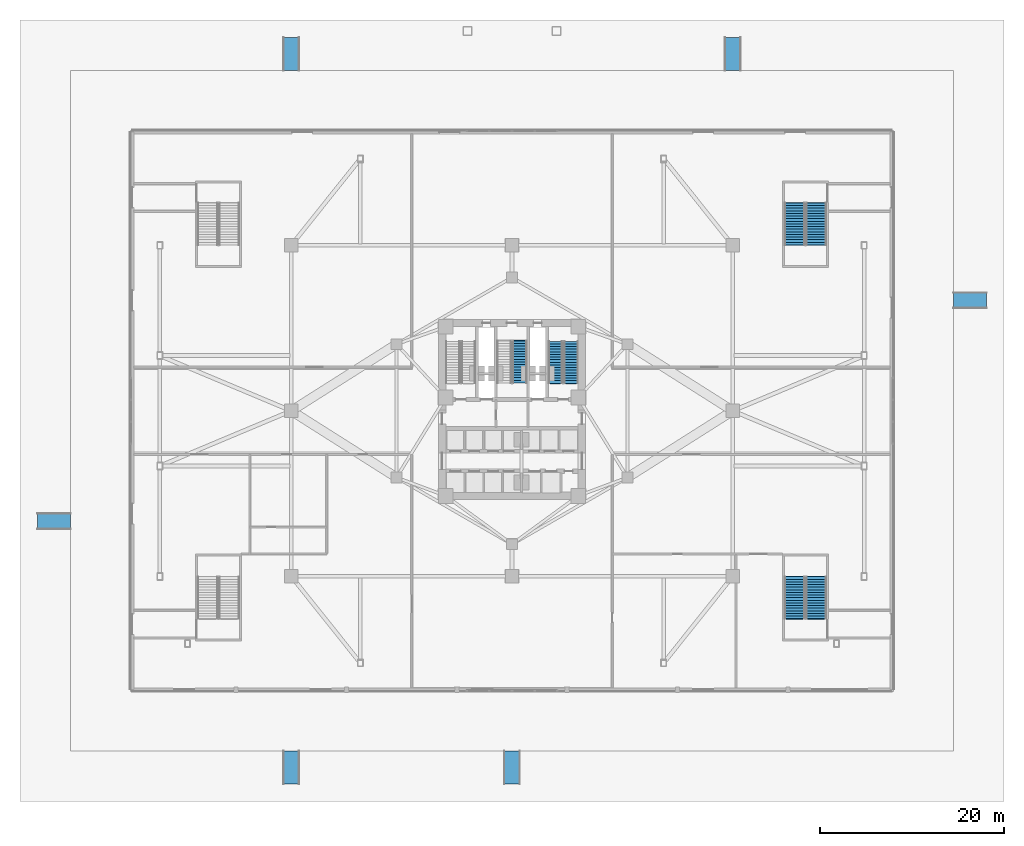
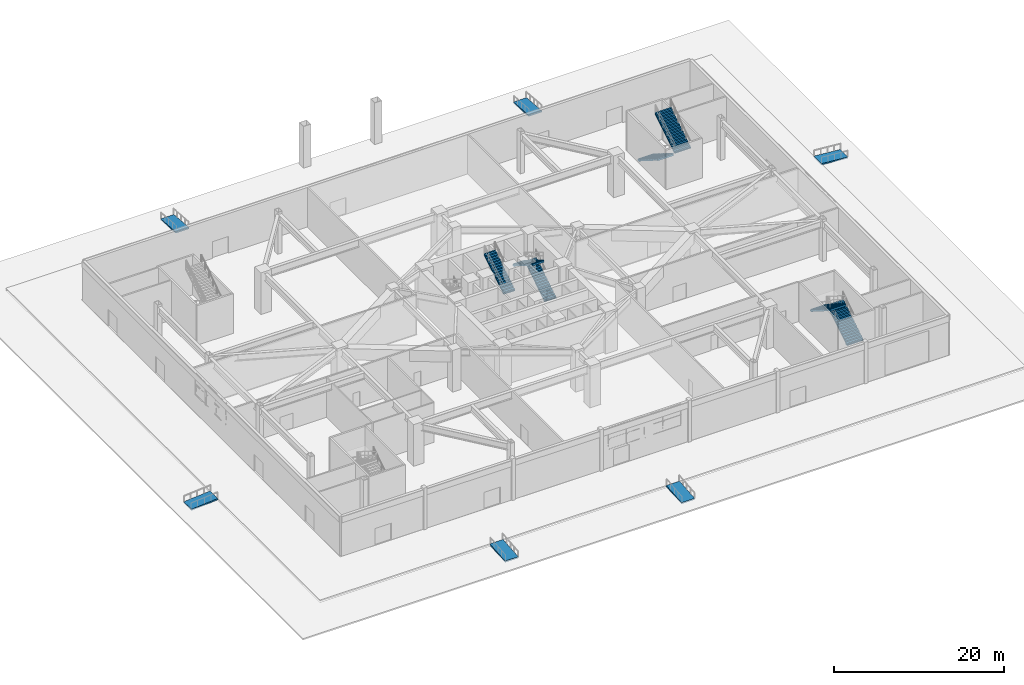
# One storey, part 14 of 24: 7 stair flights, 6 ramp flights, 10 elements without a shape of their own.
"""IFC4 building model written with IfcOpenShell, lengths in metres."""

from ifc_helpers import new_model, si_unit, direction, frame, origin, place, context, subcontext, project, spatial, polyline, outline, extrude, material, layer, layer_set, type_object, element, aggregate, save


model = new_model("IFC4")

# Units and contexts
model_context = context("Model", 3, precision=1e-05, world=origin(), true_north=direction((0.0, 1.0)))
body_context = subcontext(model_context, "Body", "Model", "MODEL_VIEW")
ifc_project = project(units=[si_unit("LENGTHUNIT", "METRE"), si_unit("AREAUNIT", "SQUARE_METRE"), si_unit("VOLUMEUNIT", "CUBIC_METRE"), si_unit("PLANEANGLEUNIT", "RADIAN"), si_unit("MASSUNIT", "GRAM", prefix="KILO")], contexts=[model_context])

# Site, building, storey
site_placement = place(None, origin())
site = spatial("IfcSite", under=ifc_project, at=site_placement, CompositionType="ELEMENT")
building_placement = place(site_placement, origin())
building = spatial("IfcBuilding", under=site, at=building_placement, Name="Apsidion Concourse Tower", CompositionType="ELEMENT")
storey_placement = place(building_placement, origin())
storey = spatial("IfcBuildingStorey", under=building, at=storey_placement, Name="L00", CompositionType="ELEMENT", Elevation=0.0)

# Stair, stair flights
ifc_material_1 = material(Name="Precast concrete C40/50", Category="concrete")
stair_type_1 = type_object("IfcStairType", Name="ST-DL-1550", PredefinedType="HALF_TURN_STAIR", material=ifc_material_1)
stair_1_placement = place(storey_placement, origin())
stair_1 = element("IfcStair", 1, at=stair_1_placement, inside=storey, type_object=stair_type_1, Name="L00 Protected Core Exit Stair ST2", PredefinedType="HALF_TURN_STAIR")
stair_flight_type_1 = type_object("IfcStairFlightType", Name="SFL-RC-1550", PredefinedType="STRAIGHT", material=ifc_material_1)
stair_flight_1_placement = place(storey_placement, frame((6.425048828125, 3.0, 0.0), z_axis=(0.0, 0.0, 1.0), x_axis=(0.0, 1.0, 0.0)))
stair_flight_1 = element("IfcStairFlight", 2, at=stair_flight_1_placement, type_object=stair_flight_type_1, Name="ST2 flight 1", NumberOfRisers=17, NumberOfTreads=16, PredefinedType="STRAIGHT", RiserHeight=0.176470588, TreadLength=0.285, context=body_context, shape_type="SweptSolid", body=[
    extrude(outline(polyline([(-0.080078125, -0.1123046875), (-0.080078125, 0.0), (0.0, 0.0), (0.0, 0.176513671875), (0.284912109375, 0.176513671875), (0.284912109375, 0.35302734375), (0.570068359375, 0.35302734375), (0.570068359375, 0.529296875), (0.85498046875, 0.529296875), (0.85498046875, 0.705810546875), (1.139892578125, 0.705810546875), (1.139892578125, 0.88232421875), (1.425048828125, 0.88232421875), (1.425048828125, 1.058837890625), (1.7099609375, 1.058837890625), (1.7099609375, 1.2353515625), (1.9951171875, 1.2353515625), (1.9951171875, 1.411865234375), (2.280029296875, 1.411865234375), (2.280029296875, 1.588134765625), (2.56494140625, 1.588134765625), (2.56494140625, 1.7646484375), (2.85009765625, 1.7646484375), (2.85009765625, 1.941162109375), (3.135009765625, 1.941162109375), (3.135009765625, 2.11767578125), (3.419921875, 2.11767578125), (3.419921875, 2.294189453125), (3.705078125, 2.294189453125), (3.705078125, 2.470703125), (3.989990234375, 2.470703125), (3.989990234375, 2.64697265625), (4.27490234375, 2.64697265625), (4.27490234375, 2.823486328125), (4.56005859375, 2.823486328125), (4.56005859375, 3.0), (4.64013671875, 2.911865234375), (4.64013671875, 2.647216796875), (4.56005859375, 2.647216796875), (0.28466796875, 0.0), (0.28466796875, -0.1123046875), (-0.080078125, -0.1123046875)])), frame((0.0, 0.77490234375, 0.0), z_axis=(0.0, -1.0, 0.0), x_axis=(1.0, 0.0, 0.0)), (0.0, 0.0, 1.0), 1.550048828125),
])
stair_flight_2_placement = place(storey_placement, frame((4.72509765625, 7.56005859375, 3.0), z_axis=(0.0, 0.0, 1.0), x_axis=(0.0, -1.0, 0.0)))
stair_flight_2 = element("IfcStairFlight", 3, at=stair_flight_2_placement, type_object=stair_flight_type_1, Name="ST2 flight 2", NumberOfRisers=17, NumberOfTreads=16, PredefinedType="STRAIGHT", RiserHeight=0.176470588, TreadLength=0.285, context=body_context, shape_type="SweptSolid", body=[
    extrude(outline(polyline([(-0.080078125, -0.1123046875), (-0.080078125, 0.0), (0.0, 0.0), (0.0, 0.176513671875), (0.284912109375, 0.176513671875), (0.284912109375, 0.35302734375), (0.570068359375, 0.35302734375), (0.570068359375, 0.529296875), (0.85498046875, 0.529296875), (0.85498046875, 0.705810546875), (1.139892578125, 0.705810546875), (1.139892578125, 0.88232421875), (1.425048828125, 0.88232421875), (1.425048828125, 1.058837890625), (1.7099609375, 1.058837890625), (1.7099609375, 1.2353515625), (1.9951171875, 1.2353515625), (1.9951171875, 1.411865234375), (2.280029296875, 1.411865234375), (2.280029296875, 1.588134765625), (2.56494140625, 1.588134765625), (2.56494140625, 1.7646484375), (2.85009765625, 1.7646484375), (2.85009765625, 1.941162109375), (3.135009765625, 1.941162109375), (3.135009765625, 2.11767578125), (3.419921875, 2.11767578125), (3.419921875, 2.294189453125), (3.705078125, 2.294189453125), (3.705078125, 2.470703125), (3.989990234375, 2.470703125), (3.989990234375, 2.64697265625), (4.27490234375, 2.64697265625), (4.27490234375, 2.823486328125), (4.56005859375, 2.823486328125), (4.56005859375, 3.0), (4.64013671875, 2.911865234375), (4.64013671875, 2.647216796875), (4.56005859375, 2.647216796875), (0.28466796875, 0.0), (0.28466796875, -0.1123046875), (-0.080078125, -0.1123046875)])), frame((0.0, 0.77490234375, 0.0), z_axis=(0.0, -1.0, 0.0), x_axis=(1.0, 0.0, 0.0)), (0.0, 0.0, 1.0), 1.550048828125),
])
aggregate(stair_1, [stair_flight_1, stair_flight_2])

# Stair, stair flight
stair_2_placement = place(storey_placement, origin())
stair_2 = element("IfcStair", 4, at=stair_2_placement, inside=storey, type_object=stair_type_1, Name="L00 Protected Core Exit Stair ST3", PredefinedType="HALF_TURN_STAIR")
stair_flight_3_placement = place(storey_placement, frame((0.85009765625, 3.0400390625, 3.0), z_axis=(0.0, 0.0, 1.0), x_axis=(0.0, 1.0, 0.0)))
stair_flight_3 = element("IfcStairFlight", 5, at=stair_flight_3_placement, type_object=stair_flight_type_1, Name="ST3 flight 2", NumberOfRisers=17, NumberOfTreads=16, PredefinedType="STRAIGHT", RiserHeight=0.176470588, TreadLength=0.285, context=body_context, shape_type="SweptSolid", body=[
    extrude(outline(polyline([(-0.080078125, -0.1123046875), (-0.080078125, 0.0), (0.0, 0.0), (0.0, 0.176513671875), (0.284912109375, 0.176513671875), (0.284912109375, 0.35302734375), (0.570068359375, 0.35302734375), (0.570068359375, 0.529296875), (0.85498046875, 0.529296875), (0.85498046875, 0.705810546875), (1.139892578125, 0.705810546875), (1.139892578125, 0.88232421875), (1.425048828125, 0.88232421875), (1.425048828125, 1.058837890625), (1.7099609375, 1.058837890625), (1.7099609375, 1.2353515625), (1.9951171875, 1.2353515625), (1.9951171875, 1.411865234375), (2.280029296875, 1.411865234375), (2.280029296875, 1.588134765625), (2.56494140625, 1.588134765625), (2.56494140625, 1.7646484375), (2.85009765625, 1.7646484375), (2.85009765625, 1.941162109375), (3.135009765625, 1.941162109375), (3.135009765625, 2.11767578125), (3.419921875, 2.11767578125), (3.419921875, 2.294189453125), (3.705078125, 2.294189453125), (3.705078125, 2.470703125), (3.989990234375, 2.470703125), (3.989990234375, 2.64697265625), (4.27490234375, 2.64697265625), (4.27490234375, 2.823486328125), (4.56005859375, 2.823486328125), (4.56005859375, 3.0), (4.64013671875, 2.911865234375), (4.64013671875, 2.647216796875), (4.56005859375, 2.647216796875), (0.28466796875, 0.0), (0.28466796875, -0.1123046875), (-0.080078125, -0.1123046875)])), frame((0.0, 0.77490234375, 0.0), z_axis=(0.0, -1.0, 0.0), x_axis=(1.0, 0.0, 0.0)), (0.0, 0.0, 1.0), 1.550048828125),
])
aggregate(stair_2, [stair_flight_3])

# Stair, stair flights
stair_type_2 = type_object("IfcStairType", Name="ST-DL-2200", PredefinedType="HALF_TURN_STAIR", material=ifc_material_1)
stair_3_placement = place(storey_placement, origin())
stair_3 = element("IfcStair", 6, at=stair_3_placement, inside=storey, type_object=stair_type_2, Name="L00 Podium Convention Exit Stair ST-P2", PredefinedType="HALF_TURN_STAIR")
stair_flight_type_2 = type_object("IfcStairFlightType", Name="SFL-RC-2200", PredefinedType="STRAIGHT", material=ifc_material_1)
stair_flight_4_placement = place(storey_placement, frame((33.10009765625, -22.60009765625, 0.0), z_axis=(0.0, 0.0, 1.0), x_axis=(0.0, 1.0, 0.0)))
stair_flight_4 = element("IfcStairFlight", 7, at=stair_flight_4_placement, type_object=stair_flight_type_2, Name="ST-P2 flight 1", NumberOfRisers=17, NumberOfTreads=16, PredefinedType="STRAIGHT", RiserHeight=0.176470588, TreadLength=0.285, context=body_context, shape_type="SweptSolid", body=[
    extrude(outline(polyline([(-0.080078125, -0.1123046875), (-0.080078125, 0.0), (0.0, 0.0), (0.0, 0.176513671875), (0.284912109375, 0.176513671875), (0.284912109375, 0.35302734375), (0.570068359375, 0.35302734375), (0.570068359375, 0.529296875), (0.85498046875, 0.529296875), (0.85498046875, 0.705810546875), (1.139892578125, 0.705810546875), (1.139892578125, 0.88232421875), (1.425048828125, 0.88232421875), (1.425048828125, 1.058837890625), (1.7099609375, 1.058837890625), (1.7099609375, 1.2353515625), (1.9951171875, 1.2353515625), (1.9951171875, 1.411865234375), (2.280029296875, 1.411865234375), (2.280029296875, 1.588134765625), (2.56494140625, 1.588134765625), (2.56494140625, 1.7646484375), (2.85009765625, 1.7646484375), (2.85009765625, 1.941162109375), (3.135009765625, 1.941162109375), (3.135009765625, 2.11767578125), (3.419921875, 2.11767578125), (3.419921875, 2.294189453125), (3.705078125, 2.294189453125), (3.705078125, 2.470703125), (3.989990234375, 2.470703125), (3.989990234375, 2.64697265625), (4.27490234375, 2.64697265625), (4.27490234375, 2.823486328125), (4.56005859375, 2.823486328125), (4.56005859375, 3.0), (4.64013671875, 2.911865234375), (4.64013671875, 2.647216796875), (4.56005859375, 2.647216796875), (0.28466796875, 0.0), (0.28466796875, -0.1123046875), (-0.080078125, -0.1123046875)])), frame((0.0, 1.10009765625, 0.0), z_axis=(0.0, -1.0, 0.0), x_axis=(1.0, 0.0, 0.0)), (0.0, 0.0, 1.0), 2.199951171875),
])
stair_flight_5_placement = place(storey_placement, frame((30.75, -18.0400390625, 3.0), z_axis=(0.0, 0.0, 1.0), x_axis=(0.0, -1.0, 0.0)))
stair_flight_5 = element("IfcStairFlight", 8, at=stair_flight_5_placement, type_object=stair_flight_type_2, Name="ST-P2 flight 2", NumberOfRisers=17, NumberOfTreads=16, PredefinedType="STRAIGHT", RiserHeight=0.176470588, TreadLength=0.285, context=body_context, shape_type="SweptSolid", body=[
    extrude(outline(polyline([(-0.080078125, -0.1123046875), (-0.080078125, 0.0), (0.0, 0.0), (0.0, 0.176513671875), (0.284912109375, 0.176513671875), (0.284912109375, 0.35302734375), (0.570068359375, 0.35302734375), (0.570068359375, 0.529296875), (0.85498046875, 0.529296875), (0.85498046875, 0.705810546875), (1.139892578125, 0.705810546875), (1.139892578125, 0.88232421875), (1.425048828125, 0.88232421875), (1.425048828125, 1.058837890625), (1.7099609375, 1.058837890625), (1.7099609375, 1.2353515625), (1.9951171875, 1.2353515625), (1.9951171875, 1.411865234375), (2.280029296875, 1.411865234375), (2.280029296875, 1.588134765625), (2.56494140625, 1.588134765625), (2.56494140625, 1.7646484375), (2.85009765625, 1.7646484375), (2.85009765625, 1.941162109375), (3.135009765625, 1.941162109375), (3.135009765625, 2.11767578125), (3.419921875, 2.11767578125), (3.419921875, 2.294189453125), (3.705078125, 2.294189453125), (3.705078125, 2.470703125), (3.989990234375, 2.470703125), (3.989990234375, 2.64697265625), (4.27490234375, 2.64697265625), (4.27490234375, 2.823486328125), (4.56005859375, 2.823486328125), (4.56005859375, 3.0), (4.64013671875, 2.911865234375), (4.64013671875, 2.647216796875), (4.56005859375, 2.647216796875), (0.28466796875, 0.0), (0.28466796875, -0.1123046875), (-0.080078125, -0.1123046875)])), frame((0.0, 1.10009765625, 0.0), z_axis=(0.0, -1.0, 0.0), x_axis=(1.0, 0.0, 0.0)), (0.0, 0.0, 1.0), 2.199951171875),
])
aggregate(stair_3, [stair_flight_4, stair_flight_5])

stair_4_placement = place(storey_placement, origin())
stair_4 = element("IfcStair", 9, at=stair_4_placement, inside=storey, type_object=stair_type_2, Name="L00 Podium Convention Exit Stair ST-P4", PredefinedType="HALF_TURN_STAIR")
stair_flight_6_placement = place(storey_placement, frame((30.75, 22.60009765625, 0.0), z_axis=(0.0, 0.0, 1.0), x_axis=(0.0, -1.0, 0.0)))
stair_flight_6 = element("IfcStairFlight", 10, at=stair_flight_6_placement, type_object=stair_flight_type_2, Name="ST-P4 flight 1", NumberOfRisers=17, NumberOfTreads=16, PredefinedType="STRAIGHT", RiserHeight=0.176470588, TreadLength=0.285, context=body_context, shape_type="SweptSolid", body=[
    extrude(outline(polyline([(-0.080078125, -0.1123046875), (-0.080078125, 0.0), (0.0, 0.0), (0.0, 0.176513671875), (0.284912109375, 0.176513671875), (0.284912109375, 0.35302734375), (0.570068359375, 0.35302734375), (0.570068359375, 0.529296875), (0.85498046875, 0.529296875), (0.85498046875, 0.705810546875), (1.139892578125, 0.705810546875), (1.139892578125, 0.88232421875), (1.425048828125, 0.88232421875), (1.425048828125, 1.058837890625), (1.7099609375, 1.058837890625), (1.7099609375, 1.2353515625), (1.9951171875, 1.2353515625), (1.9951171875, 1.411865234375), (2.280029296875, 1.411865234375), (2.280029296875, 1.588134765625), (2.56494140625, 1.588134765625), (2.56494140625, 1.7646484375), (2.85009765625, 1.7646484375), (2.85009765625, 1.941162109375), (3.135009765625, 1.941162109375), (3.135009765625, 2.11767578125), (3.419921875, 2.11767578125), (3.419921875, 2.294189453125), (3.705078125, 2.294189453125), (3.705078125, 2.470703125), (3.989990234375, 2.470703125), (3.989990234375, 2.64697265625), (4.27490234375, 2.64697265625), (4.27490234375, 2.823486328125), (4.56005859375, 2.823486328125), (4.56005859375, 3.0), (4.64013671875, 2.911865234375), (4.64013671875, 2.647216796875), (4.56005859375, 2.647216796875), (0.28466796875, 0.0), (0.28466796875, -0.1123046875), (-0.080078125, -0.1123046875)])), frame((0.0, 1.10009765625, 0.0), z_axis=(0.0, -1.0, 0.0), x_axis=(1.0, 0.0, 0.0)), (0.0, 0.0, 1.0), 2.199951171875),
])
stair_flight_7_placement = place(storey_placement, frame((33.10009765625, 18.0400390625, 3.0), z_axis=(0.0, 0.0, 1.0), x_axis=(0.0, 1.0, 0.0)))
stair_flight_7 = element("IfcStairFlight", 11, at=stair_flight_7_placement, type_object=stair_flight_type_2, Name="ST-P4 flight 2", NumberOfRisers=17, NumberOfTreads=16, PredefinedType="STRAIGHT", RiserHeight=0.176470588, TreadLength=0.285, context=body_context, shape_type="SweptSolid", body=[
    extrude(outline(polyline([(-0.080078125, -0.1123046875), (-0.080078125, 0.0), (0.0, 0.0), (0.0, 0.176513671875), (0.284912109375, 0.176513671875), (0.284912109375, 0.35302734375), (0.570068359375, 0.35302734375), (0.570068359375, 0.529296875), (0.85498046875, 0.529296875), (0.85498046875, 0.705810546875), (1.139892578125, 0.705810546875), (1.139892578125, 0.88232421875), (1.425048828125, 0.88232421875), (1.425048828125, 1.058837890625), (1.7099609375, 1.058837890625), (1.7099609375, 1.2353515625), (1.9951171875, 1.2353515625), (1.9951171875, 1.411865234375), (2.280029296875, 1.411865234375), (2.280029296875, 1.588134765625), (2.56494140625, 1.588134765625), (2.56494140625, 1.7646484375), (2.85009765625, 1.7646484375), (2.85009765625, 1.941162109375), (3.135009765625, 1.941162109375), (3.135009765625, 2.11767578125), (3.419921875, 2.11767578125), (3.419921875, 2.294189453125), (3.705078125, 2.294189453125), (3.705078125, 2.470703125), (3.989990234375, 2.470703125), (3.989990234375, 2.64697265625), (4.27490234375, 2.64697265625), (4.27490234375, 2.823486328125), (4.56005859375, 2.823486328125), (4.56005859375, 3.0), (4.64013671875, 2.911865234375), (4.64013671875, 2.647216796875), (4.56005859375, 2.647216796875), (0.28466796875, 0.0), (0.28466796875, -0.1123046875), (-0.080078125, -0.1123046875)])), frame((0.0, 1.10009765625, 0.0), z_axis=(0.0, -1.0, 0.0), x_axis=(1.0, 0.0, 0.0)), (0.0, 0.0, 1.0), 2.199951171875),
])
aggregate(stair_4, [stair_flight_6, stair_flight_7])

# Ramp, ramp flight
ifc_material_2 = material(Name="Concrete C50/60", Category="concrete")
ramp_type = type_object("IfcRampType", Name="RMP-PED-1800", PredefinedType="STRAIGHT_RUN_RAMP", material=ifc_material_2)
ramp_1_placement = place(storey_placement, origin())
ramp_1 = element("IfcRamp", 12, at=ramp_1_placement, inside=storey, type_object=ramp_type, Name="Pedestrian South-West Concourse Accessible Ramp RM-01", PredefinedType="STRAIGHT_RUN_RAMP")
ifc_layer = layer(ifc_material_2, 0.199951171875)
ifc_layer_set = layer_set([ifc_layer], Name="Concrete C50/60")
ramp_flight_type = type_object("IfcRampFlightType", Name="RMF-PED-1800", PredefinedType="STRAIGHT", material=ifc_layer_set)
ramp_flight_1_placement = place(storey_placement, frame((-24.0, -40.60009765625, -0.300048828125), z_axis=(0.0, 0.0, 1.0), x_axis=(0.0, 1.0, 0.0)))
ramp_flight_1 = element("IfcRampFlight", 13, at=ramp_flight_1_placement, type_object=ramp_flight_type, Name="Pedestrian South-West Concourse Accessible Ramp Flight RM-01", PredefinedType="STRAIGHT", context=body_context, shape_type="SweptSolid", body=[
    extrude(outline(polyline([(0.0, 0.0), (3.60009765625, 0.300048828125), (3.60009765625, 0.099365234375), (0.0, -0.20068359375), (0.0, 0.0)])), frame((0.0, 0.89990234375, 0.0), z_axis=(0.0, -1.0, 0.0), x_axis=(1.0, 0.0, 0.0)), (0.0, 0.0, 1.0), 1.800048828125),
])
aggregate(ramp_1, [ramp_flight_1])

ramp_2_placement = place(storey_placement, origin())
ramp_2 = element("IfcRamp", 14, at=ramp_2_placement, inside=storey, type_object=ramp_type, Name="Pedestrian South-Central Concourse Accessible Ramp RM-02", PredefinedType="STRAIGHT_RUN_RAMP")
ramp_flight_2_placement = place(storey_placement, frame((0.0, -40.60009765625, -0.300048828125), z_axis=(0.0, 0.0, 1.0), x_axis=(0.0, 1.0, 0.0)))
ramp_flight_2 = element("IfcRampFlight", 15, at=ramp_flight_2_placement, type_object=ramp_flight_type, Name="Pedestrian South-Central Concourse Accessible Ramp Flight RM-02", PredefinedType="STRAIGHT", context=body_context, shape_type="SweptSolid", body=[
    extrude(outline(polyline([(0.0, 0.0), (3.60009765625, 0.300048828125), (3.60009765625, 0.099365234375), (0.0, -0.20068359375), (0.0, 0.0)])), frame((0.0, 0.89990234375, 0.0), z_axis=(0.0, -1.0, 0.0), x_axis=(1.0, 0.0, 0.0)), (0.0, 0.0, 1.0), 1.800048828125),
])
aggregate(ramp_2, [ramp_flight_2])

ramp_3_placement = place(storey_placement, origin())
ramp_3 = element("IfcRamp", 16, at=ramp_3_placement, inside=storey, type_object=ramp_type, Name="Pedestrian North-West Concourse Accessible Ramp RM-03", PredefinedType="STRAIGHT_RUN_RAMP")
ramp_flight_3_placement = place(storey_placement, frame((-24.0, 40.60009765625, -0.300048828125), z_axis=(0.0, 0.0, 1.0), x_axis=(0.0, -1.0, 0.0)))
ramp_flight_3 = element("IfcRampFlight", 17, at=ramp_flight_3_placement, type_object=ramp_flight_type, Name="Pedestrian North-West Concourse Accessible Ramp Flight RM-03", PredefinedType="STRAIGHT", context=body_context, shape_type="SweptSolid", body=[
    extrude(outline(polyline([(0.0, 0.0), (3.60009765625, 0.300048828125), (3.60009765625, 0.099365234375), (0.0, -0.20068359375), (0.0, 0.0)])), frame((0.0, 0.89990234375, 0.0), z_axis=(0.0, -1.0, 0.0), x_axis=(1.0, 0.0, 0.0)), (0.0, 0.0, 1.0), 1.800048828125),
])
aggregate(ramp_3, [ramp_flight_3])

ramp_4_placement = place(storey_placement, origin())
ramp_4 = element("IfcRamp", 18, at=ramp_4_placement, inside=storey, type_object=ramp_type, Name="Pedestrian North-East Concourse Accessible Ramp RM-04", PredefinedType="STRAIGHT_RUN_RAMP")
ramp_flight_4_placement = place(storey_placement, frame((24.0, 40.60009765625, -0.300048828125), z_axis=(0.0, 0.0, 1.0), x_axis=(0.0, -1.0, 0.0)))
ramp_flight_4 = element("IfcRampFlight", 19, at=ramp_flight_4_placement, type_object=ramp_flight_type, Name="Pedestrian North-East Concourse Accessible Ramp Flight RM-04", PredefinedType="STRAIGHT", context=body_context, shape_type="SweptSolid", body=[
    extrude(outline(polyline([(0.0, 0.0), (3.60009765625, 0.300048828125), (3.60009765625, 0.099365234375), (0.0, -0.20068359375), (0.0, 0.0)])), frame((0.0, 0.89990234375, 0.0), z_axis=(0.0, -1.0, 0.0), x_axis=(1.0, 0.0, 0.0)), (0.0, 0.0, 1.0), 1.800048828125),
])
aggregate(ramp_4, [ramp_flight_4])

ramp_5_placement = place(storey_placement, origin())
ramp_5 = element("IfcRamp", 20, at=ramp_5_placement, inside=storey, type_object=ramp_type, Name="Pedestrian West-South Concourse Accessible Ramp RM-05", PredefinedType="STRAIGHT_RUN_RAMP")
ramp_flight_5_placement = place(storey_placement, frame((-51.60009765625, -12.0, -0.300048828125), z_axis=(0.0, 0.0, 1.0), x_axis=(1.0, 0.0, 0.0)))
ramp_flight_5 = element("IfcRampFlight", 21, at=ramp_flight_5_placement, type_object=ramp_flight_type, Name="Pedestrian West-South Concourse Accessible Ramp Flight RM-05", PredefinedType="STRAIGHT", context=body_context, shape_type="SweptSolid", body=[
    extrude(outline(polyline([(0.0, 0.0), (3.60009765625, 0.300048828125), (3.60009765625, 0.099365234375), (0.0, -0.20068359375), (0.0, 0.0)])), frame((0.0, 0.89990234375, 0.0), z_axis=(0.0, -1.0, 0.0), x_axis=(1.0, 0.0, 0.0)), (0.0, 0.0, 1.0), 1.800048828125),
])
aggregate(ramp_5, [ramp_flight_5])

ramp_6_placement = place(storey_placement, origin())
ramp_6 = element("IfcRamp", 22, at=ramp_6_placement, inside=storey, type_object=ramp_type, Name="Pedestrian East-North Concourse Accessible Ramp RM-06", PredefinedType="STRAIGHT_RUN_RAMP")
ramp_flight_6_placement = place(storey_placement, frame((51.60009765625, 12.0, -0.300048828125), z_axis=(0.0, 0.0, 1.0), x_axis=(-1.0, 0.0, 0.0)))
ramp_flight_6 = element("IfcRampFlight", 23, at=ramp_flight_6_placement, type_object=ramp_flight_type, Name="Pedestrian East-North Concourse Accessible Ramp Flight RM-06", PredefinedType="STRAIGHT", context=body_context, shape_type="SweptSolid", body=[
    extrude(outline(polyline([(0.0, 0.0), (3.60009765625, 0.300048828125), (3.60009765625, 0.099365234375), (0.0, -0.20068359375), (0.0, 0.0)])), frame((0.0, 0.89990234375, 0.0), z_axis=(0.0, -1.0, 0.0), x_axis=(1.0, 0.0, 0.0)), (0.0, 0.0, 1.0), 1.800048828125),
])
aggregate(ramp_6, [ramp_flight_6])

save(model, "model.ifc")
